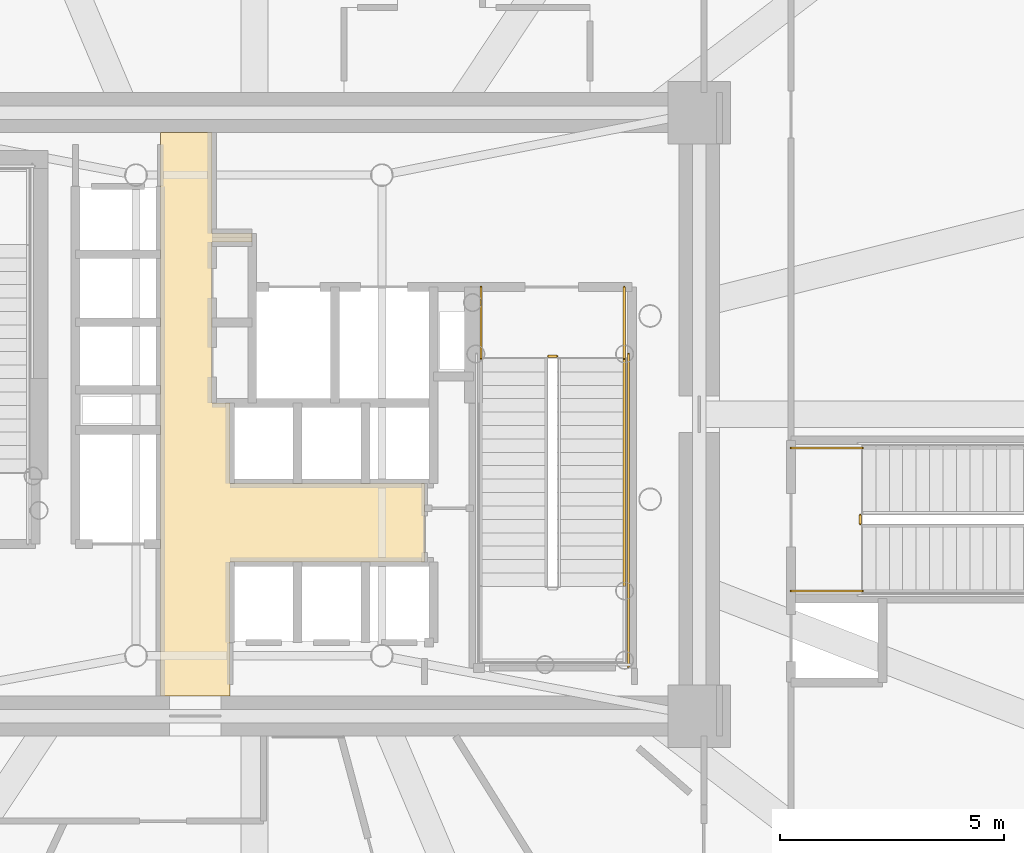
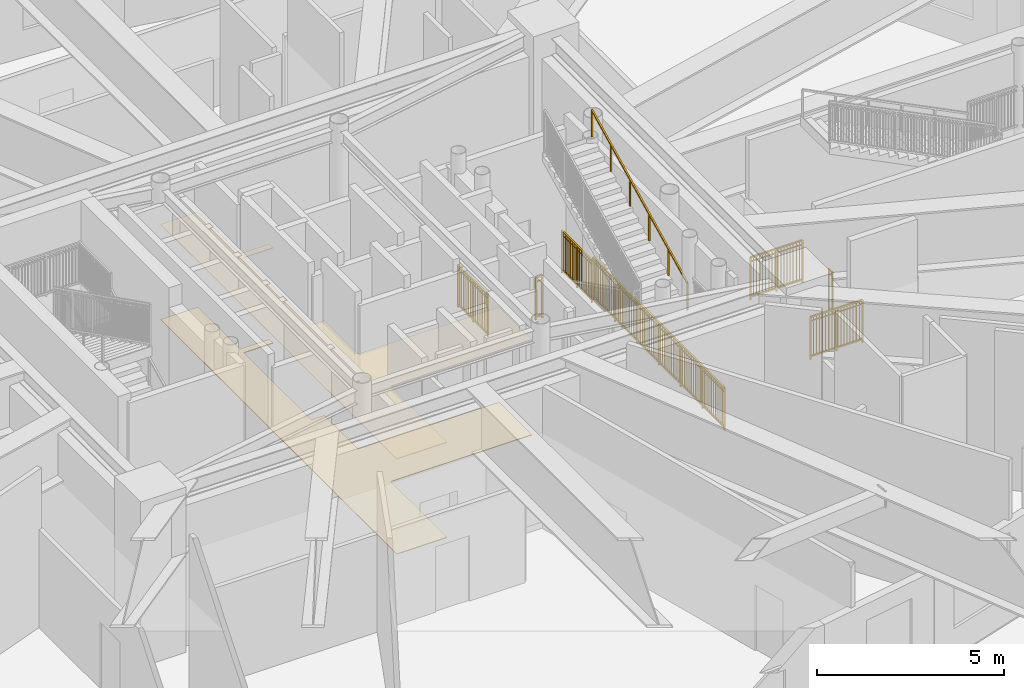
# One storey, part 36 of 39: 8 railings, 2 coverings.
"""IFC4 building model written with IfcOpenShell, lengths in metres."""

from ifc_helpers import new_model, si_unit, direction, frame, origin, origin_2d, place, context, subcontext, project, spatial, polyline, rectangle, outline, extrude, source, transform, mapped, material, layer, layer_set, type_object, element, save


model = new_model("IFC4")

# Units and contexts
model_context = context("Model", 3, precision=1e-05, world=origin(), true_north=direction((0.0, 1.0)))
body_context = subcontext(model_context, "Body", "Model", "MODEL_VIEW")
ifc_project = project(units=[si_unit("LENGTHUNIT", "METRE"), si_unit("AREAUNIT", "SQUARE_METRE"), si_unit("VOLUMEUNIT", "CUBIC_METRE"), si_unit("PLANEANGLEUNIT", "RADIAN"), si_unit("MASSUNIT", "GRAM", prefix="KILO")], contexts=[model_context])

# Site, building, storey
site_placement = place(None, origin())
site = spatial("IfcSite", under=ifc_project, at=site_placement, CompositionType="ELEMENT")
building_placement = place(site_placement, origin())
building = spatial("IfcBuilding", under=site, at=building_placement, Name="Linh Dai School and Residence Tower", CompositionType="ELEMENT")
storey_placement = place(building_placement, frame((0.0, 0.0, 27.0)))
storey = spatial("IfcBuildingStorey", under=building, at=storey_placement, Name="L06", CompositionType="ELEMENT", Elevation=27.0)

# Coverings
ifc_material_1 = material(Name="Mineral Fibre Acoustic Suspended Ceiling", Category="masonry")
ifc_layer_1 = layer(ifc_material_1, 0.02001953125)
ifc_layer_set_1 = layer_set([ifc_layer_1], Name="Mineral Fibre Acoustic Suspended Ceiling")
covering_type_1 = type_object("IfcCoveringType", Name="COV-CEIL-AC-20", PredefinedType="CEILING", material=ifc_layer_set_1)
covering_1_placement = place(storey_placement, frame((0.0, 0.0, 3.10009765625)))
element("IfcCovering", 1, at=covering_1_placement, inside=storey, type_object=covering_type_1, Name="L06 Passenger Lift Lobby Suspended Ceiling", PredefinedType="CEILING", context=body_context, shape_type="SweptSolid", body=[
    extrude(outline(polyline([(35.050048828125, 33.300048828125), (35.050048828125, 31.050048828125), (35.949951171875, 31.050048828125), (35.949951171875, 30.85009765625), (35.050048828125, 30.85009765625), (35.050048828125, 27.25), (35.449951171875, 27.25), (35.449951171875, 25.449951171875), (39.800048828125, 25.449951171875), (39.800048828125, 23.699951171875), (35.449951171875, 23.699951171875), (35.449951171875, 20.699951171875), (33.89990234375, 20.699951171875), (33.89990234375, 33.300048828125), (35.050048828125, 33.300048828125)])), origin(), (0.0, 0.0, 1.0), 0.02001953125),
])
ifc_material_2 = material(Name="Polished Terrazzo Floor Finish", Category="masonry")
ifc_layer_2 = layer(ifc_material_2, 0.02490234375)
ifc_layer_set_2 = layer_set([ifc_layer_2], Name="Polished Terrazzo Floor Finish")
covering_type_2 = type_object("IfcCoveringType", Name="COV-FLR-TRZ-25", PredefinedType="FLOORING", material=ifc_layer_set_2)
covering_2_placement = place(storey_placement, origin())
element("IfcCovering", 2, at=covering_2_placement, inside=storey, type_object=covering_type_2, Name="L06 Passenger Lift Lobby Floor Finish", PredefinedType="FLOORING", context=body_context, shape_type="SweptSolid", body=[
    extrude(outline(polyline([(35.050048828125, 33.300048828125), (35.050048828125, 31.050048828125), (35.949951171875, 31.050048828125), (35.949951171875, 30.85009765625), (35.050048828125, 30.85009765625), (35.050048828125, 27.25), (35.449951171875, 27.25), (35.449951171875, 25.449951171875), (39.800048828125, 25.449951171875), (39.800048828125, 23.699951171875), (35.449951171875, 23.699951171875), (35.449951171875, 20.699951171875), (33.89990234375, 20.699951171875), (33.89990234375, 33.300048828125), (35.050048828125, 33.300048828125)])), origin(), (0.0, 0.0, 1.0), 0.02001953125),
])

# Railings
ifc_material_3 = material(Name="Brushed Stainless Steel Handrail", Category="steel")
railing_type_1 = type_object("IfcRailingType", Name="RL-ST-HANDRAIL-900", PredefinedType="HANDRAIL", material=ifc_material_3)
shared_shape_1 = source(origin(), body_context, "Body", "SweptSolid", [
    extrude(rectangle(XDim=0.048095703125, YDim=0.048095703125, at=origin_2d()), frame((0.0, 0.0, 0.8759765625), z_axis=(0.0, 0.89444431709, 0.44717934168), x_axis=(-1.0, 0.0, 0.0)), (0.0, 0.0, 1.0), 5.701904296875),
    extrude(rectangle(XDim=0.0419921875, YDim=0.0419921875, at=origin_2d()), origin(), (0.0, 0.0, 1.0), 0.8759765625),
    extrude(rectangle(XDim=0.0419921875, YDim=0.0419921875, at=origin_2d()), frame((0.0, 1.02001953125, 0.510009765625)), (0.0, 0.0, 1.0), 0.8759765625),
    extrude(rectangle(XDim=0.0419921875, YDim=0.0419921875, at=origin_2d()), frame((0.0, 2.0400390625, 1.02001953125)), (0.0, 0.0, 1.0), 0.8759765625),
    extrude(rectangle(XDim=0.0419921875, YDim=0.0419921875, at=origin_2d()), frame((0.0, 3.06005859375, 1.52978515625)), (0.0, 0.0, 1.0), 0.8759765625),
    extrude(rectangle(XDim=0.0419921875, YDim=0.0419921875, at=origin_2d()), frame((0.0, 4.080078125, 2.039794921875)), (0.0, 0.0, 1.0), 0.8759765625),
    extrude(rectangle(XDim=0.0419921875, YDim=0.0419921875, at=origin_2d()), frame((0.0, 5.10009765625, 2.5498046875)), (0.0, 0.0, 1.0), 0.8759765625),
])
railing_1_placement = place(storey_placement, frame((44.27001953125, 23.14990234375, 2.85009765625)))
element("IfcRailing", 3, at=railing_1_placement, inside=storey, type_object=railing_type_1, Name="L06 ST2 stair handrail 2", PredefinedType="HANDRAIL", context=body_context, shape_type="MappedRepresentation", body=[
    mapped(shared_shape_1, transform((0.0, 0.0, 0.0), x_axis=(1.0, 0.0, 0.0), y_axis=(0.0, 1.0, 0.0), z_axis=(0.0, 0.0, 1.0), scale=1.0)),
])
ifc_material_4 = material(Name="Structural Steel S355JR", Category="steel")
railing_type_2 = type_object("IfcRailingType", Name="RL-ST-GUARD-1400", PredefinedType="GUARDRAIL", material=ifc_material_4)
shared_shape_2 = source(origin(), body_context, "Body", "SweptSolid", [
    extrude(rectangle(XDim=0.048095703125, YDim=0.048095703125, at=origin_2d()), frame((0.0, 0.0, 1.3759765625), z_axis=(1.0, 0.0, 0.0), x_axis=(0.0, 1.0, 0.0)), (0.0, 0.0, 1.0), 0.199951171875),
    extrude(rectangle(XDim=0.048095703125, YDim=0.048095703125, at=origin_2d()), frame((0.0, 0.0, 0.10009765625), z_axis=(1.0, 0.0, 0.0), x_axis=(0.0, 1.0, 0.0)), (0.0, 0.0, 1.0), 0.199951171875),
    extrude(rectangle(XDim=0.030029296875, YDim=0.030029296875, at=origin_2d()), frame((0.0, 0.0, 1.239990234375), z_axis=(1.0, 0.0, 0.0), x_axis=(0.0, 1.0, 0.0)), (0.0, 0.0, 1.0), 0.199951171875),
    extrude(rectangle(XDim=0.0419921875, YDim=0.0419921875, at=origin_2d()), origin(), (0.0, 0.0, 1.0), 1.3759765625),
    extrude(rectangle(XDim=0.0419921875, YDim=0.0419921875, at=origin_2d()), frame((0.199951171875, 0.0, 0.0)), (0.0, 0.0, 1.0), 1.3759765625),
])
railing_2_placement = place(storey_placement, frame((42.570068359375, 28.300048828125, 0.0)))
element("IfcRailing", 4, at=railing_2_placement, inside=storey, type_object=railing_type_2, Name="L06 ST2 stair guard 7", PredefinedType="GUARDRAIL", context=body_context, shape_type="MappedRepresentation", body=[
    mapped(shared_shape_2, transform((0.0, 0.0, 0.0), x_axis=(1.0, 0.0, 0.0), y_axis=(0.0, 1.0, 0.0), z_axis=(0.0, 0.0, 1.0), scale=1.0)),
])
shared_shape_3 = source(origin(), body_context, "Body", "SweptSolid", [
    extrude(rectangle(XDim=0.048095703125, YDim=0.048095703125, at=origin_2d()), frame((0.0, 0.0, 1.3759765625), z_axis=(0.0, -1.0, 0.0), x_axis=(1.0, 0.0, 0.0)), (0.0, 0.0, 1.0), 1.60009765625),
    extrude(rectangle(XDim=0.048095703125, YDim=0.048095703125, at=origin_2d()), frame((0.0, 0.0, 0.10009765625), z_axis=(0.0, -1.0, 0.0), x_axis=(1.0, 0.0, 0.0)), (0.0, 0.0, 1.0), 1.60009765625),
    extrude(rectangle(XDim=0.030029296875, YDim=0.030029296875, at=origin_2d()), frame((0.0, 0.0, 1.239990234375), z_axis=(0.0, -1.0, 0.0), x_axis=(1.0, 0.0, 0.0)), (0.0, 0.0, 1.0), 1.60009765625),
    extrude(rectangle(XDim=0.02001953125, YDim=0.02001953125, at=origin_2d()), frame((0.0, -0.09423828125, 0.10009765625)), (0.0, 0.0, 1.0), 1.251708984375),
    extrude(rectangle(XDim=0.02001953125, YDim=0.02001953125, at=origin_2d()), frame((0.0, -0.188232421875, 0.10009765625)), (0.0, 0.0, 1.0), 1.251708984375),
    extrude(rectangle(XDim=0.02001953125, YDim=0.02001953125, at=origin_2d()), frame((0.0, -0.282470703125, 0.10009765625)), (0.0, 0.0, 1.0), 1.251708984375),
    extrude(rectangle(XDim=0.02001953125, YDim=0.02001953125, at=origin_2d()), frame((0.0, -0.37646484375, 0.10009765625)), (0.0, 0.0, 1.0), 1.251708984375),
    extrude(rectangle(XDim=0.02001953125, YDim=0.02001953125, at=origin_2d()), frame((0.0, -0.470703125, 0.10009765625)), (0.0, 0.0, 1.0), 1.251708984375),
    extrude(rectangle(XDim=0.02001953125, YDim=0.02001953125, at=origin_2d()), frame((0.0, -0.564697265625, 0.10009765625)), (0.0, 0.0, 1.0), 1.251708984375),
    extrude(rectangle(XDim=0.02001953125, YDim=0.02001953125, at=origin_2d()), frame((0.0, -0.658935546875, 0.10009765625)), (0.0, 0.0, 1.0), 1.251708984375),
    extrude(rectangle(XDim=0.02001953125, YDim=0.02001953125, at=origin_2d()), frame((0.0, -0.7529296875, 0.10009765625)), (0.0, 0.0, 1.0), 1.251708984375),
    extrude(rectangle(XDim=0.02001953125, YDim=0.02001953125, at=origin_2d()), frame((0.0, -0.84716796875, 0.10009765625)), (0.0, 0.0, 1.0), 1.251708984375),
    extrude(rectangle(XDim=0.02001953125, YDim=0.02001953125, at=origin_2d()), frame((0.0, -0.941162109375, 0.10009765625)), (0.0, 0.0, 1.0), 1.251708984375),
    extrude(rectangle(XDim=0.02001953125, YDim=0.02001953125, at=origin_2d()), frame((0.0, -1.035400390625, 0.10009765625)), (0.0, 0.0, 1.0), 1.251708984375),
    extrude(rectangle(XDim=0.02001953125, YDim=0.02001953125, at=origin_2d()), frame((0.0, -1.12939453125, 0.10009765625)), (0.0, 0.0, 1.0), 1.251708984375),
    extrude(rectangle(XDim=0.02001953125, YDim=0.02001953125, at=origin_2d()), frame((0.0, -1.2236328125, 0.10009765625)), (0.0, 0.0, 1.0), 1.251708984375),
    extrude(rectangle(XDim=0.02001953125, YDim=0.02001953125, at=origin_2d()), frame((0.0, -1.317626953125, 0.10009765625)), (0.0, 0.0, 1.0), 1.251708984375),
    extrude(rectangle(XDim=0.02001953125, YDim=0.02001953125, at=origin_2d()), frame((0.0, -1.411865234375, 0.10009765625)), (0.0, 0.0, 1.0), 1.251708984375),
    extrude(rectangle(XDim=0.02001953125, YDim=0.02001953125, at=origin_2d()), frame((0.0, -1.505859375, 0.10009765625)), (0.0, 0.0, 1.0), 1.251708984375),
    extrude(rectangle(XDim=0.0419921875, YDim=0.0419921875, at=origin_2d()), origin(), (0.0, 0.0, 1.0), 1.3759765625),
    extrude(rectangle(XDim=0.0419921875, YDim=0.0419921875, at=origin_2d()), frame((0.0, -0.800048828125, 0.0)), (0.0, 0.0, 1.0), 1.3759765625),
    extrude(rectangle(XDim=0.0419921875, YDim=0.0419921875, at=origin_2d()), frame((0.0, -1.60009765625, 0.0)), (0.0, 0.0, 1.0), 1.3759765625),
])
for number, where, name in (
    (5, (41.070068359375, 29.85009765625, 0.0), "L06 ST2 stair guard 8"),
    (6, (44.27001953125, 29.85009765625, 0.0), "L06 ST2 stair guard 9"),
):
    element("IfcRailing", number, at=place(storey_placement, frame(where)), inside=storey, type_object=railing_type_2, Name=name, PredefinedType="GUARDRAIL", context=body_context, shape_type="MappedRepresentation", body=[
        mapped(shared_shape_3, transform((0.0, 0.0, 0.0), x_axis=(1.0, 0.0, 0.0), y_axis=(0.0, 1.0, 0.0), z_axis=(0.0, 0.0, 1.0), scale=1.0)),
    ])
shared_shape_4 = source(origin(), body_context, "Body", "SweptSolid", [
    extrude(rectangle(XDim=0.048095703125, YDim=0.048095703125, at=origin_2d()), frame((0.0, 0.0, 1.3759765625), z_axis=(0.0, -1.0, 0.0), x_axis=(1.0, 0.0, 0.0)), (0.0, 0.0, 1.0), 7.0),
    extrude(rectangle(XDim=0.048095703125, YDim=0.048095703125, at=origin_2d()), frame((0.0, 0.0, 0.10009765625), z_axis=(0.0, -1.0, 0.0), x_axis=(1.0, 0.0, 0.0)), (0.0, 0.0, 1.0), 7.0),
    extrude(rectangle(XDim=0.030029296875, YDim=0.030029296875, at=origin_2d()), frame((0.0, 0.0, 1.239990234375), z_axis=(0.0, -1.0, 0.0), x_axis=(1.0, 0.0, 0.0)), (0.0, 0.0, 1.0), 7.0),
    extrude(rectangle(XDim=0.02001953125, YDim=0.02001953125, at=origin_2d()), frame((0.0, -0.09716796875, 0.10009765625)), (0.0, 0.0, 1.0), 1.251708984375),
    extrude(rectangle(XDim=0.02001953125, YDim=0.02001953125, at=origin_2d()), frame((0.0, -0.1943359375, 0.10009765625)), (0.0, 0.0, 1.0), 1.251708984375),
    extrude(rectangle(XDim=0.02001953125, YDim=0.02001953125, at=origin_2d()), frame((0.0, -0.291748046875, 0.10009765625)), (0.0, 0.0, 1.0), 1.251708984375),
    extrude(rectangle(XDim=0.02001953125, YDim=0.02001953125, at=origin_2d()), frame((0.0, -0.388916015625, 0.10009765625)), (0.0, 0.0, 1.0), 1.251708984375),
    extrude(rectangle(XDim=0.02001953125, YDim=0.02001953125, at=origin_2d()), frame((0.0, -0.486083984375, 0.10009765625)), (0.0, 0.0, 1.0), 1.251708984375),
    extrude(rectangle(XDim=0.02001953125, YDim=0.02001953125, at=origin_2d()), frame((0.0, -0.583251953125, 0.10009765625)), (0.0, 0.0, 1.0), 1.251708984375),
    extrude(rectangle(XDim=0.02001953125, YDim=0.02001953125, at=origin_2d()), frame((0.0, -0.6806640625, 0.10009765625)), (0.0, 0.0, 1.0), 1.251708984375),
    extrude(rectangle(XDim=0.02001953125, YDim=0.02001953125, at=origin_2d()), frame((0.0, -0.77783203125, 0.10009765625)), (0.0, 0.0, 1.0), 1.251708984375),
    extrude(rectangle(XDim=0.02001953125, YDim=0.02001953125, at=origin_2d()), frame((0.0, -0.875, 0.10009765625)), (0.0, 0.0, 1.0), 1.251708984375),
    extrude(rectangle(XDim=0.02001953125, YDim=0.02001953125, at=origin_2d()), frame((0.0, -0.97216796875, 0.10009765625)), (0.0, 0.0, 1.0), 1.251708984375),
    extrude(rectangle(XDim=0.02001953125, YDim=0.02001953125, at=origin_2d()), frame((0.0, -1.0693359375, 0.10009765625)), (0.0, 0.0, 1.0), 1.251708984375),
    extrude(rectangle(XDim=0.02001953125, YDim=0.02001953125, at=origin_2d()), frame((0.0, -1.263916015625, 0.10009765625)), (0.0, 0.0, 1.0), 1.251708984375),
    extrude(rectangle(XDim=0.02001953125, YDim=0.02001953125, at=origin_2d()), frame((0.0, -1.361083984375, 0.10009765625)), (0.0, 0.0, 1.0), 1.251708984375),
    extrude(rectangle(XDim=0.02001953125, YDim=0.02001953125, at=origin_2d()), frame((0.0, -1.458251953125, 0.10009765625)), (0.0, 0.0, 1.0), 1.251708984375),
    extrude(rectangle(XDim=0.02001953125, YDim=0.02001953125, at=origin_2d()), frame((0.0, -1.5556640625, 0.10009765625)), (0.0, 0.0, 1.0), 1.251708984375),
    extrude(rectangle(XDim=0.02001953125, YDim=0.02001953125, at=origin_2d()), frame((0.0, -1.65283203125, 0.10009765625)), (0.0, 0.0, 1.0), 1.251708984375),
    extrude(rectangle(XDim=0.02001953125, YDim=0.02001953125, at=origin_2d()), frame((0.0, -1.75, 0.10009765625)), (0.0, 0.0, 1.0), 1.251708984375),
    extrude(rectangle(XDim=0.02001953125, YDim=0.02001953125, at=origin_2d()), frame((0.0, -1.84716796875, 0.10009765625)), (0.0, 0.0, 1.0), 1.251708984375),
    extrude(rectangle(XDim=0.02001953125, YDim=0.02001953125, at=origin_2d()), frame((0.0, -1.9443359375, 0.10009765625)), (0.0, 0.0, 1.0), 1.251708984375),
    extrude(rectangle(XDim=0.02001953125, YDim=0.02001953125, at=origin_2d()), frame((0.0, -2.041748046875, 0.10009765625)), (0.0, 0.0, 1.0), 1.251708984375),
    extrude(rectangle(XDim=0.02001953125, YDim=0.02001953125, at=origin_2d()), frame((0.0, -2.138916015625, 0.10009765625)), (0.0, 0.0, 1.0), 1.251708984375),
    extrude(rectangle(XDim=0.02001953125, YDim=0.02001953125, at=origin_2d()), frame((0.0, -2.236083984375, 0.10009765625)), (0.0, 0.0, 1.0), 1.251708984375),
    extrude(rectangle(XDim=0.02001953125, YDim=0.02001953125, at=origin_2d()), frame((0.0, -2.4306640625, 0.10009765625)), (0.0, 0.0, 1.0), 1.251708984375),
    extrude(rectangle(XDim=0.02001953125, YDim=0.02001953125, at=origin_2d()), frame((0.0, -2.52783203125, 0.10009765625)), (0.0, 0.0, 1.0), 1.251708984375),
    extrude(rectangle(XDim=0.02001953125, YDim=0.02001953125, at=origin_2d()), frame((0.0, -2.625, 0.10009765625)), (0.0, 0.0, 1.0), 1.251708984375),
    extrude(rectangle(XDim=0.02001953125, YDim=0.02001953125, at=origin_2d()), frame((0.0, -2.72216796875, 0.10009765625)), (0.0, 0.0, 1.0), 1.251708984375),
    extrude(rectangle(XDim=0.02001953125, YDim=0.02001953125, at=origin_2d()), frame((0.0, -2.8193359375, 0.10009765625)), (0.0, 0.0, 1.0), 1.251708984375),
    extrude(rectangle(XDim=0.02001953125, YDim=0.02001953125, at=origin_2d()), frame((0.0, -2.916748046875, 0.10009765625)), (0.0, 0.0, 1.0), 1.251708984375),
    extrude(rectangle(XDim=0.02001953125, YDim=0.02001953125, at=origin_2d()), frame((0.0, -3.013916015625, 0.10009765625)), (0.0, 0.0, 1.0), 1.251708984375),
    extrude(rectangle(XDim=0.02001953125, YDim=0.02001953125, at=origin_2d()), frame((0.0, -3.111083984375, 0.10009765625)), (0.0, 0.0, 1.0), 1.251708984375),
    extrude(rectangle(XDim=0.02001953125, YDim=0.02001953125, at=origin_2d()), frame((0.0, -3.208251953125, 0.10009765625)), (0.0, 0.0, 1.0), 1.251708984375),
    extrude(rectangle(XDim=0.02001953125, YDim=0.02001953125, at=origin_2d()), frame((0.0, -3.3056640625, 0.10009765625)), (0.0, 0.0, 1.0), 1.251708984375),
    extrude(rectangle(XDim=0.02001953125, YDim=0.02001953125, at=origin_2d()), frame((0.0, -3.40283203125, 0.10009765625)), (0.0, 0.0, 1.0), 1.251708984375),
    extrude(rectangle(XDim=0.02001953125, YDim=0.02001953125, at=origin_2d()), frame((0.0, -3.59716796875, 0.10009765625)), (0.0, 0.0, 1.0), 1.251708984375),
    extrude(rectangle(XDim=0.02001953125, YDim=0.02001953125, at=origin_2d()), frame((0.0, -3.6943359375, 0.10009765625)), (0.0, 0.0, 1.0), 1.251708984375),
    extrude(rectangle(XDim=0.02001953125, YDim=0.02001953125, at=origin_2d()), frame((0.0, -3.791748046875, 0.10009765625)), (0.0, 0.0, 1.0), 1.251708984375),
    extrude(rectangle(XDim=0.02001953125, YDim=0.02001953125, at=origin_2d()), frame((0.0, -3.888916015625, 0.10009765625)), (0.0, 0.0, 1.0), 1.251708984375),
    extrude(rectangle(XDim=0.02001953125, YDim=0.02001953125, at=origin_2d()), frame((0.0, -3.986083984375, 0.10009765625)), (0.0, 0.0, 1.0), 1.251708984375),
    extrude(rectangle(XDim=0.02001953125, YDim=0.02001953125, at=origin_2d()), frame((0.0, -4.083251953125, 0.10009765625)), (0.0, 0.0, 1.0), 1.251708984375),
    extrude(rectangle(XDim=0.02001953125, YDim=0.02001953125, at=origin_2d()), frame((0.0, -4.1806640625, 0.10009765625)), (0.0, 0.0, 1.0), 1.251708984375),
    extrude(rectangle(XDim=0.02001953125, YDim=0.02001953125, at=origin_2d()), frame((0.0, -4.27783203125, 0.10009765625)), (0.0, 0.0, 1.0), 1.251708984375),
    extrude(rectangle(XDim=0.02001953125, YDim=0.02001953125, at=origin_2d()), frame((0.0, -4.375, 0.10009765625)), (0.0, 0.0, 1.0), 1.251708984375),
    extrude(rectangle(XDim=0.02001953125, YDim=0.02001953125, at=origin_2d()), frame((0.0, -4.47216796875, 0.10009765625)), (0.0, 0.0, 1.0), 1.251708984375),
    extrude(rectangle(XDim=0.02001953125, YDim=0.02001953125, at=origin_2d()), frame((0.0, -4.5693359375, 0.10009765625)), (0.0, 0.0, 1.0), 1.251708984375),
    extrude(rectangle(XDim=0.02001953125, YDim=0.02001953125, at=origin_2d()), frame((0.0, -4.763916015625, 0.10009765625)), (0.0, 0.0, 1.0), 1.251708984375),
    extrude(rectangle(XDim=0.02001953125, YDim=0.02001953125, at=origin_2d()), frame((0.0, -4.861083984375, 0.10009765625)), (0.0, 0.0, 1.0), 1.251708984375),
    extrude(rectangle(XDim=0.02001953125, YDim=0.02001953125, at=origin_2d()), frame((0.0, -4.958251953125, 0.10009765625)), (0.0, 0.0, 1.0), 1.251708984375),
    extrude(rectangle(XDim=0.02001953125, YDim=0.02001953125, at=origin_2d()), frame((0.0, -5.0556640625, 0.10009765625)), (0.0, 0.0, 1.0), 1.251708984375),
    extrude(rectangle(XDim=0.02001953125, YDim=0.02001953125, at=origin_2d()), frame((0.0, -5.15283203125, 0.10009765625)), (0.0, 0.0, 1.0), 1.251708984375),
    extrude(rectangle(XDim=0.02001953125, YDim=0.02001953125, at=origin_2d()), frame((0.0, -5.25, 0.10009765625)), (0.0, 0.0, 1.0), 1.251708984375),
    extrude(rectangle(XDim=0.02001953125, YDim=0.02001953125, at=origin_2d()), frame((0.0, -5.34716796875, 0.10009765625)), (0.0, 0.0, 1.0), 1.251708984375),
    extrude(rectangle(XDim=0.02001953125, YDim=0.02001953125, at=origin_2d()), frame((0.0, -5.4443359375, 0.10009765625)), (0.0, 0.0, 1.0), 1.251708984375),
    extrude(rectangle(XDim=0.02001953125, YDim=0.02001953125, at=origin_2d()), frame((0.0, -5.541748046875, 0.10009765625)), (0.0, 0.0, 1.0), 1.251708984375),
    extrude(rectangle(XDim=0.02001953125, YDim=0.02001953125, at=origin_2d()), frame((0.0, -5.638916015625, 0.10009765625)), (0.0, 0.0, 1.0), 1.251708984375),
    extrude(rectangle(XDim=0.02001953125, YDim=0.02001953125, at=origin_2d()), frame((0.0, -5.736083984375, 0.10009765625)), (0.0, 0.0, 1.0), 1.251708984375),
    extrude(rectangle(XDim=0.02001953125, YDim=0.02001953125, at=origin_2d()), frame((0.0, -5.9306640625, 0.10009765625)), (0.0, 0.0, 1.0), 1.251708984375),
    extrude(rectangle(XDim=0.02001953125, YDim=0.02001953125, at=origin_2d()), frame((0.0, -6.02783203125, 0.10009765625)), (0.0, 0.0, 1.0), 1.251708984375),
    extrude(rectangle(XDim=0.02001953125, YDim=0.02001953125, at=origin_2d()), frame((0.0, -6.125, 0.10009765625)), (0.0, 0.0, 1.0), 1.251708984375),
    extrude(rectangle(XDim=0.02001953125, YDim=0.02001953125, at=origin_2d()), frame((0.0, -6.22216796875, 0.10009765625)), (0.0, 0.0, 1.0), 1.251708984375),
    extrude(rectangle(XDim=0.02001953125, YDim=0.02001953125, at=origin_2d()), frame((0.0, -6.3193359375, 0.10009765625)), (0.0, 0.0, 1.0), 1.251708984375),
    extrude(rectangle(XDim=0.02001953125, YDim=0.02001953125, at=origin_2d()), frame((0.0, -6.416748046875, 0.10009765625)), (0.0, 0.0, 1.0), 1.251708984375),
    extrude(rectangle(XDim=0.02001953125, YDim=0.02001953125, at=origin_2d()), frame((0.0, -6.513916015625, 0.10009765625)), (0.0, 0.0, 1.0), 1.251708984375),
    extrude(rectangle(XDim=0.02001953125, YDim=0.02001953125, at=origin_2d()), frame((0.0, -6.611083984375, 0.10009765625)), (0.0, 0.0, 1.0), 1.251708984375),
    extrude(rectangle(XDim=0.02001953125, YDim=0.02001953125, at=origin_2d()), frame((0.0, -6.708251953125, 0.10009765625)), (0.0, 0.0, 1.0), 1.251708984375),
    extrude(rectangle(XDim=0.02001953125, YDim=0.02001953125, at=origin_2d()), frame((0.0, -6.8056640625, 0.10009765625)), (0.0, 0.0, 1.0), 1.251708984375),
    extrude(rectangle(XDim=0.02001953125, YDim=0.02001953125, at=origin_2d()), frame((0.0, -6.90283203125, 0.10009765625)), (0.0, 0.0, 1.0), 1.251708984375),
    extrude(rectangle(XDim=0.0419921875, YDim=0.0419921875, at=origin_2d()), origin(), (0.0, 0.0, 1.0), 1.3759765625),
    extrude(rectangle(XDim=0.0419921875, YDim=0.0419921875, at=origin_2d()), frame((0.0, -1.166748046875, 0.0)), (0.0, 0.0, 1.0), 1.3759765625),
    extrude(rectangle(XDim=0.0419921875, YDim=0.0419921875, at=origin_2d()), frame((0.0, -2.333251953125, 0.0)), (0.0, 0.0, 1.0), 1.3759765625),
    extrude(rectangle(XDim=0.0419921875, YDim=0.0419921875, at=origin_2d()), frame((0.0, -3.5, 0.0)), (0.0, 0.0, 1.0), 1.3759765625),
    extrude(rectangle(XDim=0.0419921875, YDim=0.0419921875, at=origin_2d()), frame((0.0, -4.666748046875, 0.0)), (0.0, 0.0, 1.0), 1.3759765625),
    extrude(rectangle(XDim=0.0419921875, YDim=0.0419921875, at=origin_2d()), frame((0.0, -5.833251953125, 0.0)), (0.0, 0.0, 1.0), 1.3759765625),
    extrude(rectangle(XDim=0.0419921875, YDim=0.0419921875, at=origin_2d()), frame((0.0, -7.0, 0.0)), (0.0, 0.0, 1.0), 1.3759765625),
])
railing_3_placement = place(storey_placement, frame((44.3701171875, 28.35009765625, 0.0)))
element("IfcRailing", 7, at=railing_3_placement, inside=storey, type_object=railing_type_2, Name="L06 ST2 stair guard 11", PredefinedType="GUARDRAIL", context=body_context, shape_type="MappedRepresentation", body=[
    mapped(shared_shape_4, transform((0.0, 0.0, 0.0), x_axis=(1.0, 0.0, 0.0), y_axis=(0.0, 1.0, 0.0), z_axis=(0.0, 0.0, 1.0), scale=1.0)),
])
shared_shape_5 = source(origin(), body_context, "Body", "SweptSolid", [
    extrude(rectangle(XDim=0.048095703125, YDim=0.048095703125, at=origin_2d()), frame((0.0, 0.0, 1.3759765625), z_axis=(0.0, 1.0, 0.0), x_axis=(-1.0, 0.0, 0.0)), (0.0, 0.0, 1.0), 0.199951171875),
    extrude(rectangle(XDim=0.048095703125, YDim=0.048095703125, at=origin_2d()), frame((0.0, 0.0, 0.10009765625), z_axis=(0.0, 1.0, 0.0), x_axis=(-1.0, 0.0, 0.0)), (0.0, 0.0, 1.0), 0.199951171875),
    extrude(rectangle(XDim=0.030029296875, YDim=0.030029296875, at=origin_2d()), frame((0.0, 0.0, 1.239990234375), z_axis=(0.0, 1.0, 0.0), x_axis=(-1.0, 0.0, 0.0)), (0.0, 0.0, 1.0), 0.199951171875),
    extrude(rectangle(XDim=0.0419921875, YDim=0.0419921875, at=origin_2d()), origin(), (0.0, 0.0, 1.0), 1.3759765625),
    extrude(rectangle(XDim=0.0419921875, YDim=0.0419921875, at=origin_2d()), frame((0.0, 0.199951171875, 0.0)), (0.0, 0.0, 1.0), 1.3759765625),
])
railing_4_placement = place(storey_placement, frame((49.550048828125, 24.550048828125, 0.0)))
element("IfcRailing", 8, at=railing_4_placement, inside=storey, type_object=railing_type_2, Name="L06 STS2 stair guard 7", PredefinedType="GUARDRAIL", context=body_context, shape_type="MappedRepresentation", body=[
    mapped(shared_shape_5, transform((0.0, 0.0, 0.0), x_axis=(1.0, 0.0, 0.0), y_axis=(0.0, 1.0, 0.0), z_axis=(0.0, 0.0, 1.0), scale=1.0)),
])
shared_shape_6 = source(origin(), body_context, "Body", "SweptSolid", [
    extrude(rectangle(XDim=0.048095703125, YDim=0.048095703125, at=origin_2d()), frame((0.0, 0.0, 1.3759765625), z_axis=(1.0, 0.0, 0.0), x_axis=(0.0, 1.0, 0.0)), (0.0, 0.0, 1.0), 1.60009765625),
    extrude(rectangle(XDim=0.048095703125, YDim=0.048095703125, at=origin_2d()), frame((0.0, 0.0, 0.10009765625), z_axis=(1.0, 0.0, 0.0), x_axis=(0.0, 1.0, 0.0)), (0.0, 0.0, 1.0), 1.60009765625),
    extrude(rectangle(XDim=0.030029296875, YDim=0.030029296875, at=origin_2d()), frame((0.0, 0.0, 1.239990234375), z_axis=(1.0, 0.0, 0.0), x_axis=(0.0, 1.0, 0.0)), (0.0, 0.0, 1.0), 1.60009765625),
    extrude(rectangle(XDim=0.02001953125, YDim=0.02001953125, at=origin_2d()), frame((0.09423828125, 0.0, 0.10009765625)), (0.0, 0.0, 1.0), 1.251708984375),
    extrude(rectangle(XDim=0.02001953125, YDim=0.02001953125, at=origin_2d()), frame((0.188232421875, 0.0, 0.10009765625)), (0.0, 0.0, 1.0), 1.251708984375),
    extrude(rectangle(XDim=0.02001953125, YDim=0.02001953125, at=origin_2d()), frame((0.282470703125, 0.0, 0.10009765625)), (0.0, 0.0, 1.0), 1.251708984375),
    extrude(rectangle(XDim=0.02001953125, YDim=0.02001953125, at=origin_2d()), frame((0.37646484375, 0.0, 0.10009765625)), (0.0, 0.0, 1.0), 1.251708984375),
    extrude(rectangle(XDim=0.02001953125, YDim=0.02001953125, at=origin_2d()), frame((0.470703125, 0.0, 0.10009765625)), (0.0, 0.0, 1.0), 1.251708984375),
    extrude(rectangle(XDim=0.02001953125, YDim=0.02001953125, at=origin_2d()), frame((0.564697265625, 0.0, 0.10009765625)), (0.0, 0.0, 1.0), 1.251708984375),
    extrude(rectangle(XDim=0.02001953125, YDim=0.02001953125, at=origin_2d()), frame((0.658935546875, 0.0, 0.10009765625)), (0.0, 0.0, 1.0), 1.251708984375),
    extrude(rectangle(XDim=0.02001953125, YDim=0.02001953125, at=origin_2d()), frame((0.7529296875, 0.0, 0.10009765625)), (0.0, 0.0, 1.0), 1.251708984375),
    extrude(rectangle(XDim=0.02001953125, YDim=0.02001953125, at=origin_2d()), frame((0.84716796875, 0.0, 0.10009765625)), (0.0, 0.0, 1.0), 1.251708984375),
    extrude(rectangle(XDim=0.02001953125, YDim=0.02001953125, at=origin_2d()), frame((0.941162109375, 0.0, 0.10009765625)), (0.0, 0.0, 1.0), 1.251708984375),
    extrude(rectangle(XDim=0.02001953125, YDim=0.02001953125, at=origin_2d()), frame((1.035400390625, 0.0, 0.10009765625)), (0.0, 0.0, 1.0), 1.251708984375),
    extrude(rectangle(XDim=0.02001953125, YDim=0.02001953125, at=origin_2d()), frame((1.12939453125, 0.0, 0.10009765625)), (0.0, 0.0, 1.0), 1.251708984375),
    extrude(rectangle(XDim=0.02001953125, YDim=0.02001953125, at=origin_2d()), frame((1.2236328125, 0.0, 0.10009765625)), (0.0, 0.0, 1.0), 1.251708984375),
    extrude(rectangle(XDim=0.02001953125, YDim=0.02001953125, at=origin_2d()), frame((1.317626953125, 0.0, 0.10009765625)), (0.0, 0.0, 1.0), 1.251708984375),
    extrude(rectangle(XDim=0.02001953125, YDim=0.02001953125, at=origin_2d()), frame((1.411865234375, 0.0, 0.10009765625)), (0.0, 0.0, 1.0), 1.251708984375),
    extrude(rectangle(XDim=0.02001953125, YDim=0.02001953125, at=origin_2d()), frame((1.505859375, 0.0, 0.10009765625)), (0.0, 0.0, 1.0), 1.251708984375),
    extrude(rectangle(XDim=0.0419921875, YDim=0.0419921875, at=origin_2d()), origin(), (0.0, 0.0, 1.0), 1.3759765625),
    extrude(rectangle(XDim=0.0419921875, YDim=0.0419921875, at=origin_2d()), frame((0.800048828125, 0.0, 0.0)), (0.0, 0.0, 1.0), 1.3759765625),
    extrude(rectangle(XDim=0.0419921875, YDim=0.0419921875, at=origin_2d()), frame((1.60009765625, 0.0, 0.0)), (0.0, 0.0, 1.0), 1.3759765625),
])
for number, where, name in (
    (9, (48.0, 23.050048828125, 0.0), "L06 STS2 stair guard 8"),
    (10, (48.0, 26.25, 0.0), "L06 STS2 stair guard 9"),
):
    element("IfcRailing", number, at=place(storey_placement, frame(where)), inside=storey, type_object=railing_type_2, Name=name, PredefinedType="GUARDRAIL", context=body_context, shape_type="MappedRepresentation", body=[
        mapped(shared_shape_6, transform((0.0, 0.0, 0.0), x_axis=(1.0, 0.0, 0.0), y_axis=(0.0, 1.0, 0.0), z_axis=(0.0, 0.0, 1.0), scale=1.0)),
    ])

save(model, "model.ifc")
